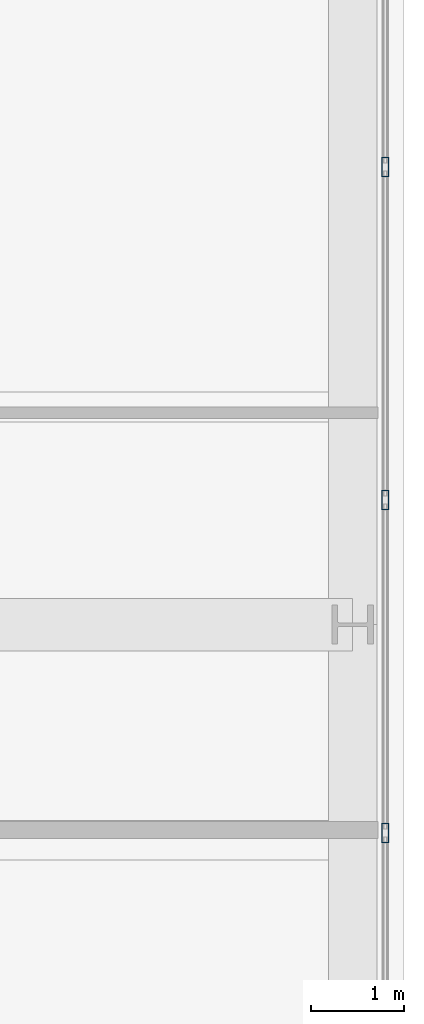
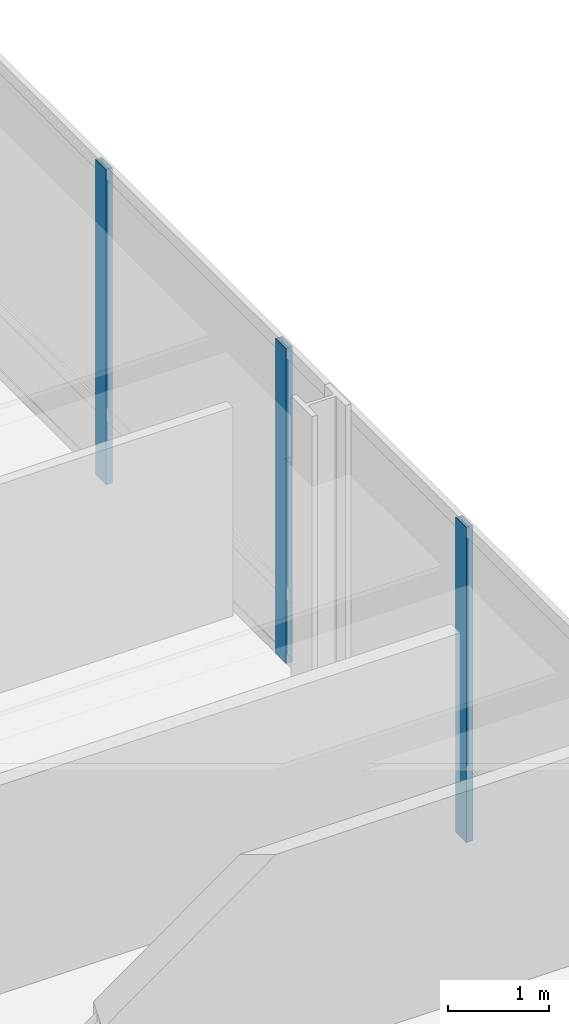
# One storey, part 17 of 34: 3 members, 1 element without a shape of its own.
"""IFC4 building model written with IfcOpenShell, lengths in metres."""

from ifc_helpers import new_model, si_unit, direction, frame, origin, origin_2d, place, context, subcontext, project, spatial, hollow_rectangle, extrude, material, material_profile, profile_set, type_object, element, aggregate, save


model = new_model("IFC4")

# Units and contexts
model_context = context("Model", 3, precision=1e-05, world=origin(), true_north=direction((0.0, 1.0)))
body_context = subcontext(model_context, "Body", "Model", "MODEL_VIEW")
ifc_project = project(units=[si_unit("LENGTHUNIT", "METRE"), si_unit("AREAUNIT", "SQUARE_METRE"), si_unit("VOLUMEUNIT", "CUBIC_METRE"), si_unit("PLANEANGLEUNIT", "RADIAN"), si_unit("MASSUNIT", "GRAM", prefix="KILO")], contexts=[model_context])

# Site, building, storey
site_placement = place(None, origin())
site = spatial("IfcSite", under=ifc_project, at=site_placement, CompositionType="ELEMENT")
building_placement = place(site_placement, origin())
building = spatial("IfcBuilding", under=site, at=building_placement, Name="Punatoya Terracotta Tower", CompositionType="ELEMENT")
storey_placement = place(building_placement, frame((0.0, 0.0, 80.85009765625)))
storey = spatial("IfcBuildingStorey", under=building, at=storey_placement, Name="L18", CompositionType="ELEMENT", Elevation=80.85009765625)

# Curtain wall, members
ifc_material_1 = material(Name="Aluminium 6063-T6 + Double Low-E Glass", Category="aluminium")
curtain_wall_type = type_object("IfcCurtainWallType", Name="CW-M1", PredefinedType="NOTDEFINED", material=ifc_material_1)
curtain_wall_placement = place(storey_placement, origin())
curtain_wall = element("IfcCurtainWall", 1, at=curtain_wall_placement, inside=storey, type_object=curtain_wall_type, Name="L18 Curtain Wall CW-L18-E05-1", PredefinedType="NOTDEFINED")
ifc_material_2 = material(Name="Aluminium 6063-T6", Category="aluminium")
ifc_material_profile = material_profile(ifc_material_2, hollow_rectangle(XDim=0.074951171875, YDim=0.2099609375, WallThickness=0.00439453125, at=origin_2d()))
ifc_profile_set = profile_set([ifc_material_profile], Name="Aluminium 6063-T6")
member_type = type_object("IfcMemberType", Name="CW-MUL-M1", PredefinedType="MULLION", material=ifc_profile_set)
member_1_placement = place(storey_placement, frame((24.85009765625, 1.16748046875, 0.0), z_axis=(0.0, 0.0, 1.0), x_axis=(1.0, 0.0, 0.0)))
member_1 = element("IfcMember", 2, at=member_1_placement, type_object=member_type, Name="CW-L18-E05-1 Mullion 06", PredefinedType="MULLION", context=body_context, shape_type="SweptSolid", body=[
    extrude(hollow_rectangle(XDim=0.074951171875, YDim=0.2099609375, WallThickness=0.00439453125, at=origin_2d()), origin(), (0.0, 0.0, 1.0), 3.809814453125),
])
member_2_placement = place(storey_placement, frame((24.85009765625, 4.73486328125, 0.0), z_axis=(0.0, 0.0, 1.0), x_axis=(1.0, 0.0, 0.0)))
member_2 = element("IfcMember", 3, at=member_2_placement, type_object=member_type, Name="CW-L18-E05-1 Mullion 07", PredefinedType="MULLION", context=body_context, shape_type="SweptSolid", body=[
    extrude(hollow_rectangle(XDim=0.074951171875, YDim=0.2099609375, WallThickness=0.00439453125, at=origin_2d()), origin(), (0.0, 0.0, 1.0), 3.809814453125),
])
member_3_placement = place(storey_placement, frame((24.85009765625, 8.302001953125, 0.0), z_axis=(0.0, 0.0, 1.0), x_axis=(1.0, 0.0, 0.0)))
member_3 = element("IfcMember", 4, at=member_3_placement, type_object=member_type, Name="CW-L18-E05-1 Mullion 08", PredefinedType="MULLION", context=body_context, shape_type="SweptSolid", body=[
    extrude(hollow_rectangle(XDim=0.074951171875, YDim=0.2099609375, WallThickness=0.00439453125, at=origin_2d()), origin(), (0.0, 0.0, 1.0), 3.809814453125),
])
aggregate(curtain_wall, [member_1, member_2, member_3])

save(model, "model.ifc")
